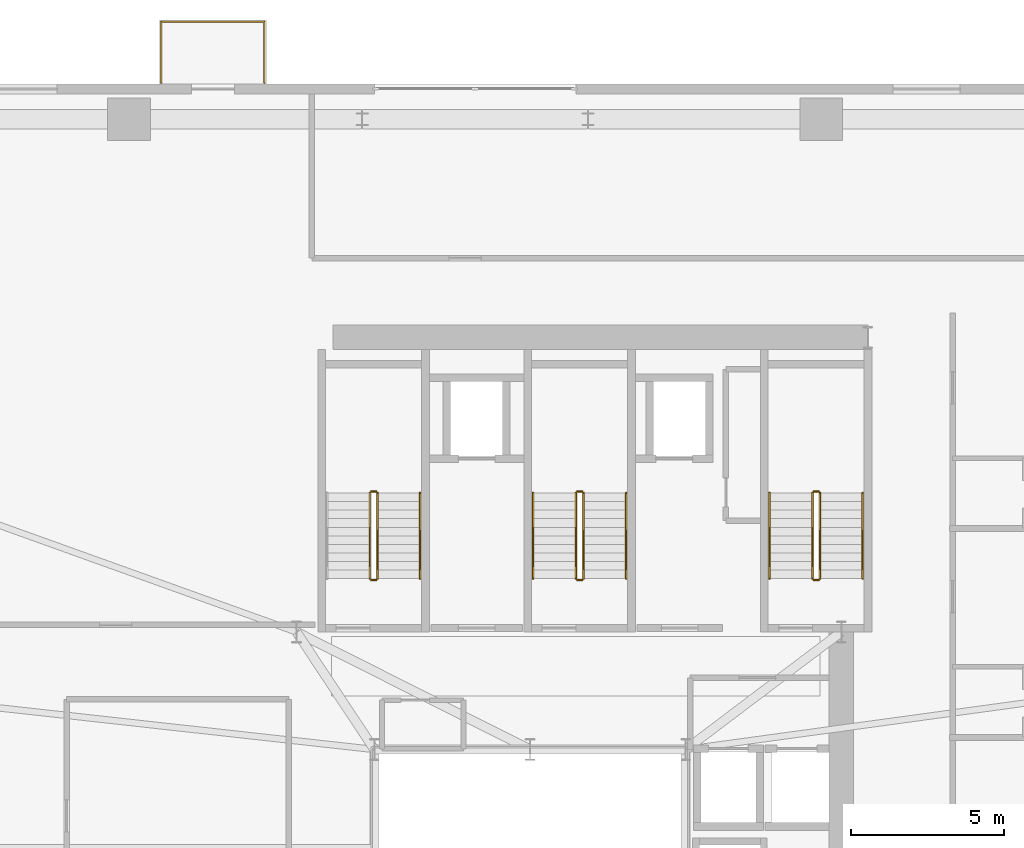
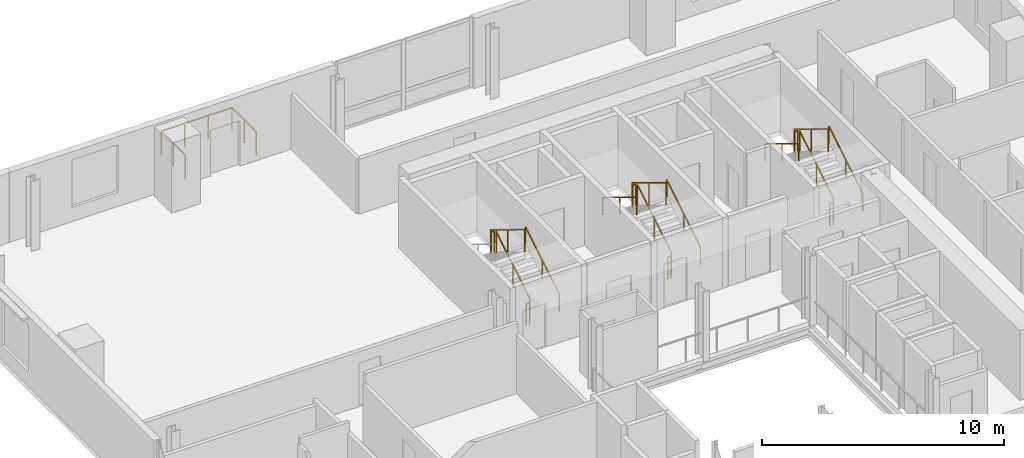
# One storey, part 12 of 12: 18 railings.
"""IFC4 building model written with IfcOpenShell, lengths in metres."""

from ifc_helpers import new_model, si_unit, direction, frame, origin, origin_2d, place, context, subcontext, project, spatial, rectangle, extrude, source, transform, mapped, material, type_object, element, save


model = new_model("IFC4")

# Units and contexts
model_context = context("Model", 3, precision=1e-05, world=origin(), true_north=direction((0.0, 1.0)))
body_context = subcontext(model_context, "Body", "Model", "MODEL_VIEW")
ifc_project = project(units=[si_unit("LENGTHUNIT", "METRE"), si_unit("AREAUNIT", "SQUARE_METRE"), si_unit("VOLUMEUNIT", "CUBIC_METRE"), si_unit("PLANEANGLEUNIT", "RADIAN"), si_unit("MASSUNIT", "GRAM", prefix="KILO")], contexts=[model_context])

# Site, building, storey
site_placement = place(None, origin())
site = spatial("IfcSite", under=ifc_project, at=site_placement, CompositionType="ELEMENT")
building_placement = place(site_placement, origin())
building = spatial("IfcBuilding", under=site, at=building_placement, Name="Vardaveli Station Tower", CompositionType="ELEMENT")
storey_placement = place(building_placement, frame((0.0, 0.0, 214.800048828125)))
storey = spatial("IfcBuildingStorey", under=building, at=storey_placement, Name="L55", CompositionType="ELEMENT", Elevation=214.800048828125)

# Railings
ifc_material_1 = material(Name="Laminated glass and stainless steel balustrade", Category="steel")
railing_type_1 = type_object("IfcRailingType", Name="RL-BAL-1200", PredefinedType="BALUSTRADE", material=ifc_material_1)
shared_shape_1 = source(origin(), body_context, "Body", "SweptSolid", [
    extrude(rectangle(XDim=0.048095703125, YDim=0.048095703125, at=origin_2d()), frame((0.0, 0.0, 1.17578125), z_axis=(0.0, 1.0, 0.0), x_axis=(-1.0, 0.0, 0.0)), (0.0, 0.0, 1.0), 2.0),
    extrude(rectangle(XDim=0.048095703125, YDim=0.048095703125, at=origin_2d()), frame((0.0, 2.0, 1.17578125), z_axis=(1.0, 0.0, 0.0), x_axis=(0.0, 1.0, 0.0)), (0.0, 0.0, 1.0), 3.3798828125),
    extrude(rectangle(XDim=0.048095703125, YDim=0.048095703125, at=origin_2d()), frame((3.3798828125, 2.0, 1.17578125), z_axis=(0.0, -1.0, 0.0), x_axis=(1.0, 0.0, 0.0)), (0.0, 0.0, 1.0), 2.0),
    extrude(rectangle(XDim=0.0419921875, YDim=0.0419921875, at=origin_2d()), origin(), (0.0, 0.0, 1.0), 1.15185546875),
    extrude(rectangle(XDim=0.0419921875, YDim=0.0419921875, at=origin_2d()), frame((0.0, 1.0, 0.0)), (0.0, 0.0, 1.0), 1.15185546875),
    extrude(rectangle(XDim=0.0419921875, YDim=0.0419921875, at=origin_2d()), frame((0.0, 2.0, 0.0)), (0.0, 0.0, 1.0), 1.15185546875),
    extrude(rectangle(XDim=0.0419921875, YDim=0.0419921875, at=origin_2d()), frame((1.126708984375, 2.0, 0.0)), (0.0, 0.0, 1.0), 1.15185546875),
    extrude(rectangle(XDim=0.0419921875, YDim=0.0419921875, at=origin_2d()), frame((2.253173828125, 2.0, 0.0)), (0.0, 0.0, 1.0), 1.15185546875),
    extrude(rectangle(XDim=0.0419921875, YDim=0.0419921875, at=origin_2d()), frame((3.3798828125, 2.0, 0.0)), (0.0, 0.0, 1.0), 1.15185546875),
    extrude(rectangle(XDim=0.0419921875, YDim=0.0419921875, at=origin_2d()), frame((3.3798828125, 1.0, 0.0)), (0.0, 0.0, 1.0), 1.15185546875),
    extrude(rectangle(XDim=0.0419921875, YDim=0.0419921875, at=origin_2d()), frame((3.3798828125, 0.0, 0.0)), (0.0, 0.0, 1.0), 1.15185546875),
])
railing_placement = place(storey_placement, frame((24.220458984375, 48.639892578125, 0.0)))
element("IfcRailing", 1, at=railing_placement, inside=storey, type_object=railing_type_1, Name="RL-LOG-L55-02", PredefinedType="BALUSTRADE", context=body_context, shape_type="MappedRepresentation", body=[
    mapped(shared_shape_1, transform((0.0, 0.0, 0.0), scale=1.0)),
])
ifc_material_2 = material(Name="Brushed AISI 316 stainless steel", Category="steel")
railing_type_2 = type_object("IfcRailingType", Name="RL-GUARD-1150", PredefinedType="GUARDRAIL", material=ifc_material_2)
shared_shape_2 = source(origin(), body_context, "Body", "SweptSolid", [
    extrude(rectangle(XDim=0.048095703125, YDim=0.048095703125, at=origin_2d()), frame((0.0, 0.0, 1.1259765625), z_axis=(-1.0, 0.0, 0.0), x_axis=(0.0, -1.0, 0.0)), (0.0, 0.0, 1.0), 0.14990234375),
    extrude(rectangle(XDim=0.0419921875, YDim=0.0419921875, at=origin_2d()), origin(), (0.0, 0.0, 1.0), 1.101806640625),
    extrude(rectangle(XDim=0.0419921875, YDim=0.0419921875, at=origin_2d()), frame((-0.14990234375, 0.0, 0.0)), (0.0, 0.0, 1.0), 1.101806640625),
])
for number, where, name in (
    (2, (31.25, 35.25, 1.875), "L55 ST-1 stair guard 2"),
    (3, (31.25, 32.35009765625, 0.0), "L55 ST-1 stair guard 4"),
    (4, (38.0, 35.25, 1.875), "L55 ST-2 stair guard 2"),
    (5, (38.0, 32.35009765625, 0.0), "L55 ST-2 stair guard 4"),
    (6, (45.75, 35.25, 1.875), "L55 ST-3 stair guard 2"),
    (7, (45.75, 32.35009765625, 0.0), "L55 ST-3 stair guard 4"),
):
    element("IfcRailing", number, at=place(storey_placement, frame(where)), inside=storey, type_object=railing_type_2, Name=name, PredefinedType="GUARDRAIL", context=body_context, shape_type="MappedRepresentation", body=[
        mapped(shared_shape_2, transform((0.0, 0.0, 0.0), scale=1.0)),
    ])
shared_shape_3 = source(origin(), body_context, "Body", "SweptSolid", [
    extrude(rectangle(XDim=0.048095703125, YDim=0.048095703125, at=origin_2d()), frame((0.0, 0.0, 1.1259765625), z_axis=(0.0, 0.854169791009, 0.51999420009), x_axis=(-1.0, 0.0, 0.0)), (0.0, 0.0, 1.0), 3.278076171875),
    extrude(rectangle(XDim=0.0419921875, YDim=0.0419921875, at=origin_2d()), origin(), (0.0, 0.0, 1.0), 1.101806640625),
    extrude(rectangle(XDim=0.0419921875, YDim=0.0419921875, at=origin_2d()), frame((0.0, 1.39990234375, 0.852294921875)), (0.0, 0.0, 1.0), 1.101806640625),
    extrude(rectangle(XDim=0.0419921875, YDim=0.0419921875, at=origin_2d()), frame((0.0, 2.800048828125, 1.70458984375)), (0.0, 0.0, 1.0), 1.101806640625),
])
for number, where, name in (
    (8, (31.300048828125, 32.39990234375, 0.17041015625), "L55 ST-1 stair guard 1"),
    (9, (38.050048828125, 32.39990234375, 0.17041015625), "L55 ST-2 stair guard 1"),
    (10, (45.800048828125, 32.39990234375, 0.17041015625), "L55 ST-3 stair guard 1"),
):
    element("IfcRailing", number, at=place(storey_placement, frame(where)), inside=storey, type_object=railing_type_2, Name=name, PredefinedType="GUARDRAIL", context=body_context, shape_type="MappedRepresentation", body=[
        mapped(shared_shape_3, transform((0.0, 0.0, 0.0), scale=1.0)),
    ])
shared_shape_4 = source(origin(), body_context, "Body", "SweptSolid", [
    extrude(rectangle(XDim=0.048095703125, YDim=0.048095703125, at=origin_2d()), frame((0.0, 0.0, 1.1259765625), z_axis=(0.0, -0.854169791009, 0.51999420009), x_axis=(1.0, 0.0, 0.0)), (0.0, 0.0, 1.0), 3.278076171875),
    extrude(rectangle(XDim=0.0419921875, YDim=0.0419921875, at=origin_2d()), origin(), (0.0, 0.0, 1.0), 1.101806640625),
    extrude(rectangle(XDim=0.0419921875, YDim=0.0419921875, at=origin_2d()), frame((0.0, -1.39990234375, 0.852294921875)), (0.0, 0.0, 1.0), 1.101806640625),
    extrude(rectangle(XDim=0.0419921875, YDim=0.0419921875, at=origin_2d()), frame((0.0, -2.800048828125, 1.70458984375)), (0.0, 0.0, 1.0), 1.101806640625),
])
for number, where, name in (
    (11, (31.050048828125, 35.199951171875, 2.04541015625), "L55 ST-1 stair guard 3"),
    (12, (37.800048828125, 35.199951171875, 2.04541015625), "L55 ST-2 stair guard 3"),
    (13, (45.550048828125, 35.199951171875, 2.04541015625), "L55 ST-3 stair guard 3"),
):
    element("IfcRailing", number, at=place(storey_placement, frame(where)), inside=storey, type_object=railing_type_2, Name=name, PredefinedType="GUARDRAIL", context=body_context, shape_type="MappedRepresentation", body=[
        mapped(shared_shape_4, transform((0.0, 0.0, 0.0), scale=1.0)),
    ])
railing_type_3 = type_object("IfcRailingType", Name="RL-HAND-900", PredefinedType="HANDRAIL", material=ifc_material_2)
shared_shape_5 = source(origin(), body_context, "Body", "SweptSolid", [
    extrude(rectangle(XDim=0.048095703125, YDim=0.048095703125, at=origin_2d()), frame((0.0, 0.0, 0.8759765625), z_axis=(0.0, 0.854169791009, 0.51999420009), x_axis=(-1.0, 0.0, 0.0)), (0.0, 0.0, 1.0), 3.278076171875),
    extrude(rectangle(XDim=0.0419921875, YDim=0.0419921875, at=origin_2d()), origin(), (0.0, 0.0, 1.0), 0.851806640625),
    extrude(rectangle(XDim=0.0419921875, YDim=0.0419921875, at=origin_2d()), frame((0.0, 1.39990234375, 0.852294921875)), (0.0, 0.0, 1.0), 0.851806640625),
    extrude(rectangle(XDim=0.0419921875, YDim=0.0419921875, at=origin_2d()), frame((0.0, 2.800048828125, 1.70458984375)), (0.0, 0.0, 1.0), 0.851806640625),
])
for number, where, name in (
    (14, (32.699951171875, 32.39990234375, 0.17041015625), "L55 ST-1 stair handrail 1"),
    (15, (39.449951171875, 32.39990234375, 0.17041015625), "L55 ST-2 stair handrail 1"),
    (16, (47.199951171875, 32.39990234375, 0.17041015625), "L55 ST-3 stair handrail 1"),
):
    element("IfcRailing", number, at=place(storey_placement, frame(where)), inside=storey, type_object=railing_type_3, Name=name, PredefinedType="HANDRAIL", context=body_context, shape_type="MappedRepresentation", body=[
        mapped(shared_shape_5, transform((0.0, 0.0, 0.0), scale=1.0)),
    ])
shared_shape_6 = source(origin(), body_context, "Body", "SweptSolid", [
    extrude(rectangle(XDim=0.048095703125, YDim=0.048095703125, at=origin_2d()), frame((0.0, 0.0, 0.8759765625), z_axis=(0.0, -0.854169791009, 0.51999420009), x_axis=(1.0, 0.0, 0.0)), (0.0, 0.0, 1.0), 3.278076171875),
    extrude(rectangle(XDim=0.0419921875, YDim=0.0419921875, at=origin_2d()), origin(), (0.0, 0.0, 1.0), 0.851806640625),
    extrude(rectangle(XDim=0.0419921875, YDim=0.0419921875, at=origin_2d()), frame((0.0, -1.39990234375, 0.852294921875)), (0.0, 0.0, 1.0), 0.851806640625),
    extrude(rectangle(XDim=0.0419921875, YDim=0.0419921875, at=origin_2d()), frame((0.0, -2.800048828125, 1.70458984375)), (0.0, 0.0, 1.0), 0.851806640625),
])
for number, where, name in (
    (17, (36.39990234375, 35.199951171875, 2.04541015625), "L55 ST-2 stair handrail 2"),
    (18, (44.14990234375, 35.199951171875, 2.04541015625), "L55 ST-3 stair handrail 2"),
):
    element("IfcRailing", number, at=place(storey_placement, frame(where)), inside=storey, type_object=railing_type_3, Name=name, PredefinedType="HANDRAIL", context=body_context, shape_type="MappedRepresentation", body=[
        mapped(shared_shape_6, transform((0.0, 0.0, 0.0), scale=1.0)),
    ])

save(model, "model.ifc")
